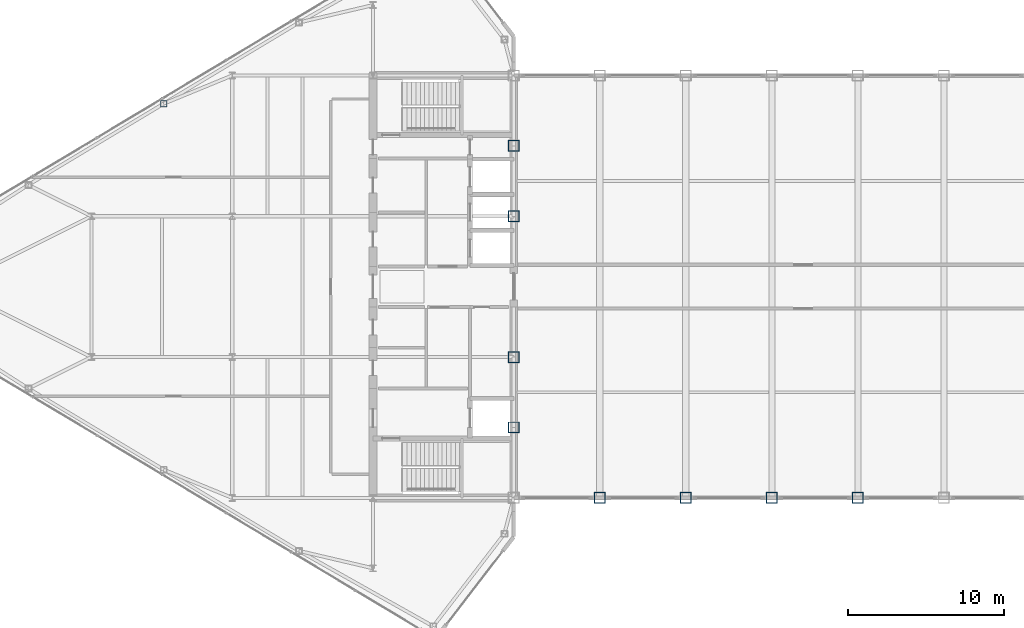
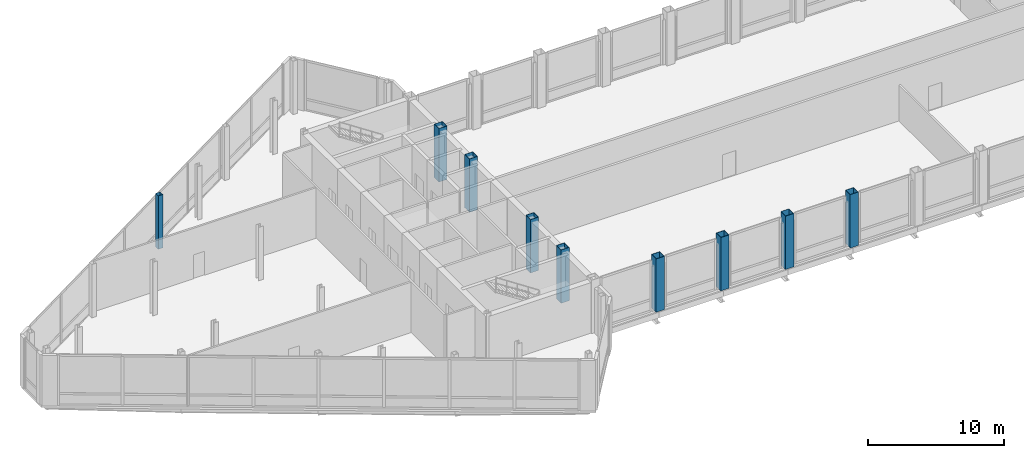
# One storey, part 2 of 29: 9 columns.
"""IFC4 building model written with IfcOpenShell, lengths in metres."""

import ifcopenshell
import ifcopenshell.guid

model = None  # the IFC model being written
_history = None  # IfcOwnerHistory: only IFC2X3 demands one
_inside = {}  # id of a spatial element -> (the spatial element, [elements in it])
_under = {}  # id of a project, library or spatial element -> (it, [spatial elements below it])
_declared = {}  # id of a project -> (the project, [libraries it declares])
_typed = {}  # id of a type object -> (the type object, [elements of that type])
_made_of = {}  # id of a material, layer set ... -> (it, [elements and type objects made of it])


def new_model(schema):
    """Start an empty IFC model of exactly this schema.

    Asked for "IFC4X3", IfcOpenShell would pick the latest addendum, in which some entities
    have other attributes; the version numbers below select the first issue.
    IFC2X3 requires an IfcOwnerHistory on every rooted entity: one is made here for all.
    """
    global model, _history
    if schema == "IFC4X3":
        model = ifcopenshell.file(schema_version=(4, 3, 0, 0))
    else:
        model = ifcopenshell.file(schema=schema)
    _inside.clear()
    _under.clear()
    _declared.clear()
    _typed.clear()
    _made_of.clear()
    _history = None
    if model.schema == "IFC2X3":
        org = make("IfcOrganization", Name="unknown")
        user = make(
            "IfcPersonAndOrganization",
            ThePerson=make("IfcPerson", FamilyName="unknown"),
            TheOrganization=org,
        )
        app = make(
            "IfcApplication",
            ApplicationDeveloper=org,
            Version="unknown",
            ApplicationFullName="unknown",
            ApplicationIdentifier="unknown",
        )
        _history = make(
            "IfcOwnerHistory",
            OwningUser=user,
            OwningApplication=app,
            ChangeAction="ADDED",
            CreationDate=0,
        )
    return model


def make(cls, **values):
    """One entity of the class cls with the attributes given. An attribute that is None is left unset."""
    return model.create_entity(
        cls, **{name: value for name, value in values.items() if value is not None}
    )


def rooted(cls, **values):
    """An entity with a GlobalId (a new one), such as an element, a storey or a relation."""
    return make(cls, GlobalId=ifcopenshell.guid.new(), OwnerHistory=_history, **values)


def si_unit(unit_type, name, prefix=None):
    """IfcSIUnit, for example si_unit("LENGTHUNIT", "METRE", prefix="MILLI")."""
    return make("IfcSIUnit", UnitType=unit_type, Prefix=prefix, Name=name)


def assignment(units):
    """IfcUnitAssignment: the units of a project."""
    return None if units is None else make("IfcUnitAssignment", Units=units)


def point(xyz):
    """IfcCartesianPoint."""
    return None if xyz is None else make("IfcCartesianPoint", Coordinates=xyz)


def direction(xyz):
    """IfcDirection."""
    return None if xyz is None else make("IfcDirection", DirectionRatios=xyz)


def frame(location, z_axis=None, x_axis=None):
    """IfcAxis2Placement3D, a coordinate frame: its origin and axes. An axis left out is left unset."""
    return make(
        "IfcAxis2Placement3D",
        Location=point(location),
        Axis=direction(z_axis),
        RefDirection=direction(x_axis),
    )


def frame_2d(location, x_axis=None):
    """IfcAxis2Placement2D, a coordinate frame in the plane: its origin and x axis."""
    return make(
        "IfcAxis2Placement2D", Location=point(location), RefDirection=direction(x_axis)
    )


def origin():
    """The frame at (0, 0, 0) with its axes left unset."""
    return frame((0.0, 0.0, 0.0))


def origin_2d():
    """The frame at (0, 0) in the plane with its x axis left unset."""
    return frame_2d((0.0, 0.0))


def place(relative_to, where):
    """IfcLocalPlacement: puts the frame where relative to a parent placement (None: the world)."""
    return make(
        "IfcLocalPlacement", PlacementRelTo=relative_to, RelativePlacement=where
    )


def context(
    kind, dimensions, precision=None, world=None, true_north=None, identifier=None
):
    """IfcGeometricRepresentationContext, for example the 3D "Model" context."""
    return make(
        "IfcGeometricRepresentationContext",
        ContextIdentifier=identifier,
        ContextType=kind,
        CoordinateSpaceDimension=dimensions,
        Precision=precision,
        WorldCoordinateSystem=world,
        TrueNorth=true_north,
    )


def subcontext(parent, identifier, kind, view, scale=None):
    """IfcGeometricRepresentationSubContext, for example "Body" below "Model"."""
    return make(
        "IfcGeometricRepresentationSubContext",
        ContextIdentifier=identifier,
        ContextType=kind,
        ParentContext=parent,
        TargetScale=scale,
        TargetView=view,
    )


def project(units=None, contexts=None):
    """IfcProject with its units and contexts."""
    return rooted(
        "IfcProject",
        Name="project",
        RepresentationContexts=contexts,
        UnitsInContext=assignment(units),
    )


def spatial(cls, under=None, at=None, **own):
    """A site, building, storey or space (cls), placed at a placement, below another one or the project."""
    s = rooted(cls, ObjectPlacement=at, **own)
    if under is not None:
        _under.setdefault(under.id(), (under, []))[1].append(s)
    return s


def profile(cls, at=None, kind="AREA", **sizes):
    """A parametric profile (cls). Its sizes go by their IFC names, for example OverallWidth=200.0."""
    return make(cls, ProfileType=kind, Position=at, **sizes)


def hollow_rectangle(**sizes):
    """IfcRectangleHollowProfileDef."""
    return profile("IfcRectangleHollowProfileDef", **sizes)


def extrude(swept, where, along, depth):
    """IfcExtrudedAreaSolid: the profile swept, set in the frame where, extruded along a direction by depth."""
    return make(
        "IfcExtrudedAreaSolid",
        SweptArea=swept,
        Position=where,
        ExtrudedDirection=direction(along),
        Depth=depth,
    )


def shape(context_of_items, identifier, shape_type, items):
    """IfcShapeRepresentation: the items that make up one representation, for example the "Body"."""
    return make(
        "IfcShapeRepresentation",
        ContextOfItems=context_of_items,
        RepresentationIdentifier=identifier,
        RepresentationType=shape_type,
        Items=items,
    )


def source(mapping_origin, context_of_items, identifier, shape_type, items):
    """IfcRepresentationMap: a shape defined once, which mapped items show again and again."""
    return make(
        "IfcRepresentationMap",
        MappingOrigin=mapping_origin,
        MappedRepresentation=shape(context_of_items, identifier, shape_type, items),
    )


def transform(
    local_origin,
    x_axis=None,
    y_axis=None,
    z_axis=None,
    scale=None,
    scale2=None,
    scale3=None,
    uniform=True,
):
    """IfcCartesianTransformationOperator3D, or its non-uniform kind. x_axis, y_axis, z_axis: its Axis1, 2, 3."""
    if uniform:
        return make(
            "IfcCartesianTransformationOperator3D",
            Axis1=direction(x_axis),
            Axis2=direction(y_axis),
            LocalOrigin=point(local_origin),
            Scale=scale,
            Axis3=direction(z_axis),
        )
    return make(
        "IfcCartesianTransformationOperator3DnonUniform",
        Axis1=direction(x_axis),
        Axis2=direction(y_axis),
        LocalOrigin=point(local_origin),
        Scale=scale,
        Axis3=direction(z_axis),
        Scale2=scale2,
        Scale3=scale3,
    )


def mapped(mapping_source, mapping_target):
    """IfcMappedItem: shows the shape of a source again, moved by a transform."""
    return make(
        "IfcMappedItem", MappingSource=mapping_source, MappingTarget=mapping_target
    )


def material(Name=None, Category=None):
    """IfcMaterial."""
    return make("IfcMaterial", Name=Name, Category=Category)


def material_profile(
    of_material, cross_section, Name=None, Category=None, Priority=None
):
    """IfcMaterialProfile: a cross section and its material."""
    return make(
        "IfcMaterialProfile",
        Name=Name,
        Material=of_material,
        Profile=cross_section,
        Priority=Priority,
        Category=Category,
    )


def profile_set(profiles, Name=None, composite=None):
    """IfcMaterialProfileSet."""
    return make(
        "IfcMaterialProfileSet",
        Name=Name,
        MaterialProfiles=profiles,
        CompositeProfile=composite,
    )


def made_of(thing, what):
    """Note that an element or type object is made of a material, layer set ...; save() writes the relation."""
    if what is not None:
        _made_of.setdefault(what.id(), (what, []))[1].append(thing)
    return thing


def type_object(cls, material=None, **own):
    """A type object (cls), such as IfcWallType, which elements share."""
    return made_of(rooted(cls, **own), material)


def type_shapes(of_type, sources):
    """Give a type object the sources (RepresentationMaps) that its elements show as mapped items."""
    of_type.RepresentationMaps = sources


def element(
    cls,
    number,
    at=None,
    inside=None,
    cuts=None,
    type_object=None,
    material=None,
    context=None,
    identifier="Body",
    shape_type=None,
    held_by="IfcProductDefinitionShape",
    body=None,
    shapes=None,
    **own,
):
    """One element of the class cls, such as IfcWall. Its Tag is "e" and its number.

    at: its placement. inside: the storey or other place that contains it. cuts: it is an
    opening in that element (IfcRelVoidsElement). A single representation is given by context,
    identifier, shape_type and body (its items); several are given by shapes. held_by: the class
    of the entity that holds the representations. save() writes the other relations.
    """
    e = rooted(cls, Tag="e%d" % number, ObjectPlacement=at, **own)
    if body is not None:
        shapes = [shape(context, identifier, shape_type, body)]
    if shapes is not None:
        e.Representation = make(held_by, Representations=shapes)
    if inside is not None:
        _inside.setdefault(inside.id(), (inside, []))[1].append(e)
    if cuts is not None:
        rooted(
            "IfcRelVoidsElement", RelatingBuildingElement=cuts, RelatedOpeningElement=e
        )
    if type_object is not None:
        _typed.setdefault(type_object.id(), (type_object, []))[1].append(e)
    return made_of(e, material)


def aggregate(whole, parts):
    """IfcRelAggregates: a whole, such as a stair, and the parts it consists of."""
    return rooted("IfcRelAggregates", RelatingObject=whole, RelatedObjects=parts)


def save(model, path):
    """Write the relations noted so far, then the file.

    IfcRelAggregates (storeys below a building ...), IfcRelContainedInSpatialStructure (elements
    in a storey), IfcRelDefinesByType, IfcRelAssociatesMaterial and IfcRelDeclares: one each for
    every whole, place, type object, material and project.
    """
    for whole, parts in _under.values():
        aggregate(whole, parts)
    for where, things in _inside.values():
        rooted(
            "IfcRelContainedInSpatialStructure",
            RelatedElements=things,
            RelatingStructure=where,
        )
    for kind, things in _typed.values():
        rooted("IfcRelDefinesByType", RelatedObjects=things, RelatingType=kind)
    for what, things in _made_of.values():
        rooted("IfcRelAssociatesMaterial", RelatedObjects=things, RelatingMaterial=what)
    for by, libraries in _declared.values():
        rooted("IfcRelDeclares", RelatingContext=by, RelatedDefinitions=libraries)
    model.write(path)


model = new_model("IFC4")

# Units and contexts
model_context = context("Model", 3, precision=1e-05, world=origin(), true_north=direction((0.0, 1.0)))
body_context = subcontext(model_context, "Body", "Model", "MODEL_VIEW")
ifc_project = project(units=[si_unit("LENGTHUNIT", "METRE"), si_unit("AREAUNIT", "SQUARE_METRE"), si_unit("VOLUMEUNIT", "CUBIC_METRE"), si_unit("PLANEANGLEUNIT", "RADIAN"), si_unit("MASSUNIT", "GRAM", prefix="KILO")], contexts=[model_context])

# Site, building, storey
site_placement = place(None, origin())
site = spatial("IfcSite", under=ifc_project, at=site_placement, CompositionType="ELEMENT")
building_placement = place(site_placement, origin())
building = spatial("IfcBuilding", under=site, at=building_placement, Name="Seokmaru Belvedere", CompositionType="ELEMENT")
storey_placement = place(building_placement, frame((0.0, 0.0, 269.39990234375)))
storey = spatial("IfcBuildingStorey", under=building, at=storey_placement, Name="L71", CompositionType="ELEMENT", Elevation=269.39990234375)

# Columns
ifc_material = material(Name="Steel SM355 (355 MPa)", Category="steel")
ifc_material_profile_1 = material_profile(ifc_material, hollow_rectangle(XDim=0.699951171875, YDim=0.699951171875, WallThickness=0.030029296875, at=origin_2d()), Name="BOX-700x700x30")
ifc_profile_set_1 = profile_set([ifc_material_profile_1], Name="Steel SM355 (355 MPa)")
column_type_1 = type_object("IfcColumnType", Name="Upper Spine Column BOX-700", PredefinedType="COLUMN", material=ifc_profile_set_1)
shared_shape_1 = source(origin(), body_context, "Body", "SweptSolid", [
    extrude(hollow_rectangle(XDim=0.699951171875, YDim=0.699951171875, WallThickness=0.030029296875, at=origin_2d()), origin(), (0.0, 0.0, 1.0), 4.800048828125),
])
type_shapes(column_type_1, [shared_shape_1])
for number, where, z_axis, x_axis, name in (
    (1, (-27.5, -9.0, 0.0), (0.0, 0.0, 1.0), (1.0, 0.0, 0.0), "L71 Column WS2"),
    (2, (-27.5, -4.5, 0.0), (0.0, 0.0, 1.0), (1.0, 0.0, 0.0), "L71 Column WS3"),
    (3, (-27.5, 4.5, 0.0), (0.0, 0.0, 1.0), (1.0, 0.0, 0.0), "L71 Column WS4"),
    (4, (-27.5, 9.0, 0.0), (0.0, 0.0, 1.0), (1.0, 0.0, 0.0), "L71 Column WS5"),
    (5, (-22.0, -13.5, 0.0), (0.0, 0.0, 1.0), (1.0, 0.0, 0.0), "L71 Column BRS_1"),
    (6, (-16.5, -13.5, 0.0), (0.0, 0.0, 1.0), (1.0, 0.0, 0.0), "L71 Column BRS_2"),
    (7, (-11.0, -13.5, 0.0), (0.0, 0.0, 1.0), (1.0, 0.0, 0.0), "L71 Column BRS_3"),
    (8, (-5.5, -13.5, 0.0), (0.0, 0.0, 1.0), (1.0, 0.0, 0.0), "L71 Column BRS_4"),
):
    element("IfcColumn", number, at=place(storey_placement, frame(where, z_axis=z_axis, x_axis=x_axis)), inside=storey, type_object=column_type_1, Name=name, PredefinedType="COLUMN", context=body_context, shape_type="MappedRepresentation", body=[
        mapped(shared_shape_1, transform((0.0, 0.0, 0.0), scale=1.0)),
    ])
ifc_material_profile_2 = material_profile(ifc_material, hollow_rectangle(XDim=0.39990234375, YDim=0.39990234375, WallThickness=0.01611328125, at=origin_2d()), Name="HSS-400x400x16")
ifc_profile_set_2 = profile_set([ifc_material_profile_2], Name="Steel SM355 (355 MPa)")
column_type_2 = type_object("IfcColumnType", Name="Perimeter Facet Column HSS-400", PredefinedType="COLUMN", material=ifc_profile_set_2)
shared_shape_2 = source(origin(), body_context, "Body", "SweptSolid", [
    extrude(hollow_rectangle(XDim=0.39990234375, YDim=0.39990234375, WallThickness=0.01611328125, at=origin_2d()), origin(), (0.0, 0.0, 1.0), 4.800048828125),
])
type_shapes(column_type_2, [shared_shape_2])
column_placement = place(storey_placement, frame((-49.8798828125, 11.698974609375, 0.0), z_axis=(0.0, 0.0, 1.0), x_axis=(1.0, 0.0, 0.0)))
element("IfcColumn", 9, at=column_placement, inside=storey, type_object=column_type_2, Name="L71 Column WFLK_N2", PredefinedType="COLUMN", context=body_context, shape_type="MappedRepresentation", body=[
    mapped(shared_shape_2, transform((0.0, 0.0, 0.0), scale=1.0)),
])

save(model, "model.ifc")
